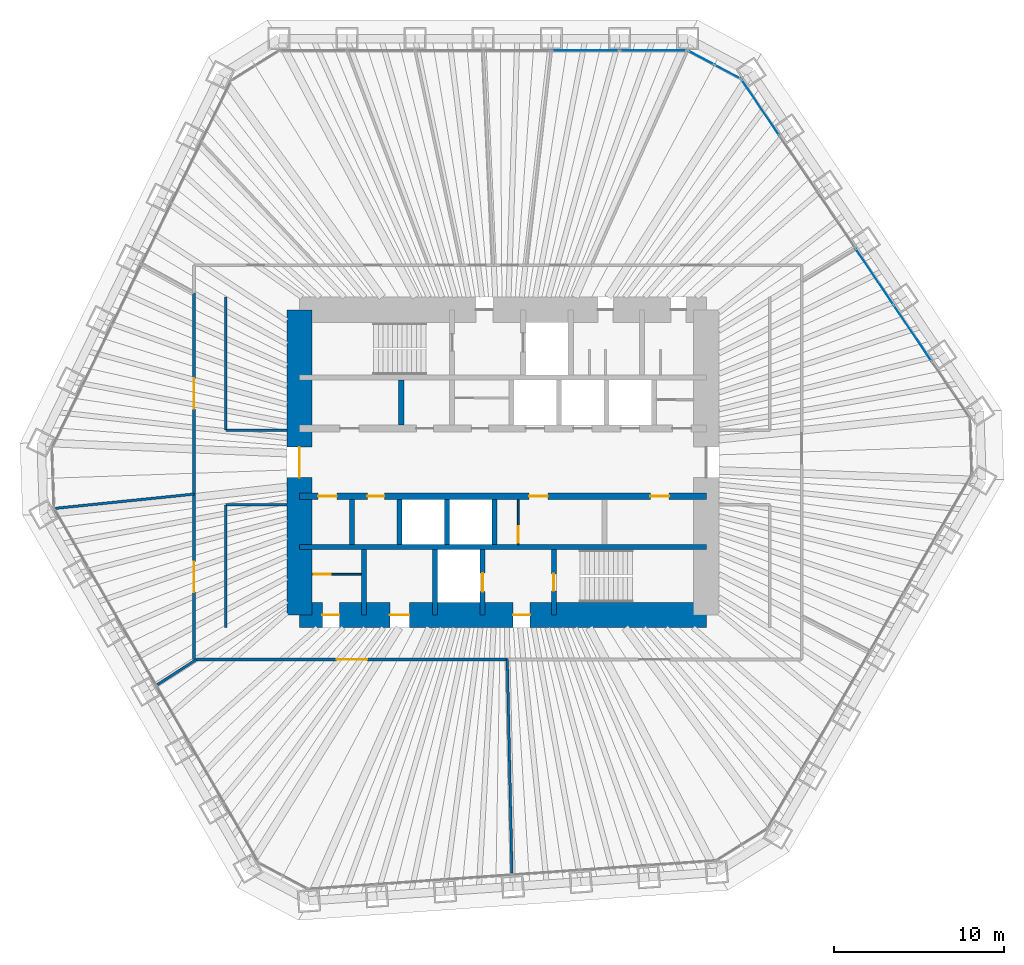
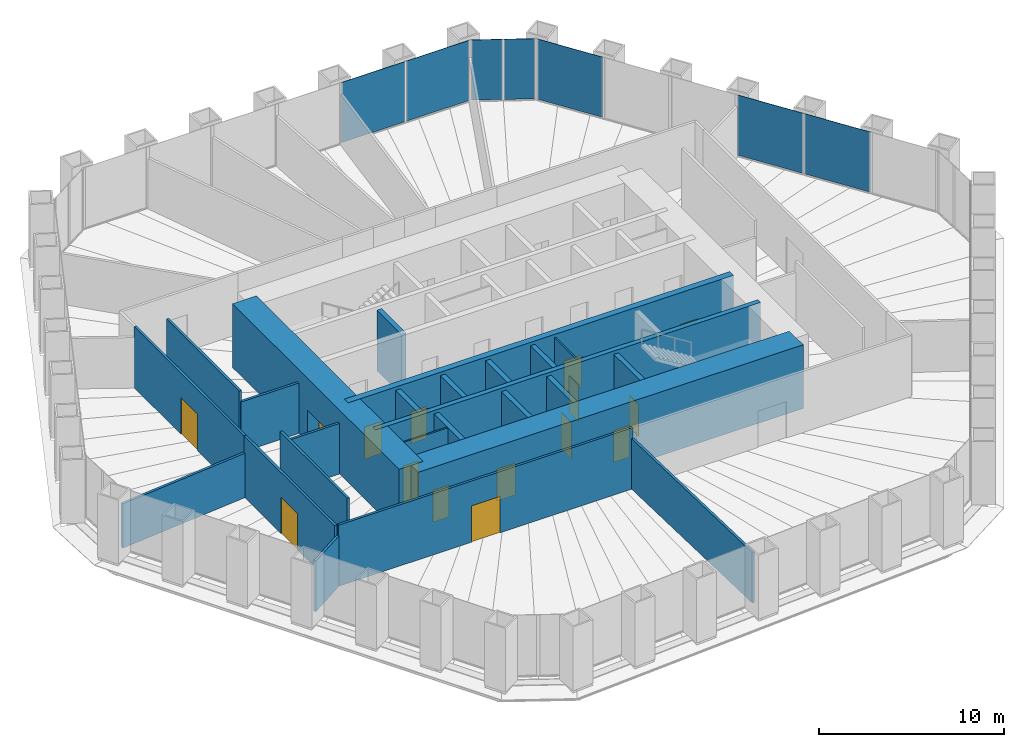
# One storey, part 10 of 13: 25 walls, 15 doors, 7 plates, 15 openings, 3 elements without a shape of their own.
"""IFC4 building model written with IfcOpenShell, lengths in metres."""

from ifc_helpers import new_model, si_unit, direction, frame, frame_2d, origin, origin_2d, place, context, subcontext, project, spatial, rectangle, extrude, material, layer, layer_set, type_object, element, fill, aggregate, save


model = new_model("IFC4")

# Units and contexts
model_context = context("Model", 3, precision=1e-05, world=origin(), true_north=direction((0.0, 1.0)))
body_context = subcontext(model_context, "Body", "Model", "MODEL_VIEW")
ifc_project = project(units=[si_unit("LENGTHUNIT", "METRE"), si_unit("AREAUNIT", "SQUARE_METRE"), si_unit("VOLUMEUNIT", "CUBIC_METRE"), si_unit("PLANEANGLEUNIT", "RADIAN"), si_unit("MASSUNIT", "GRAM", prefix="KILO")], contexts=[model_context])

# Site, building, storey
site_placement = place(None, origin())
site = spatial("IfcSite", under=ifc_project, at=site_placement, CompositionType="ELEMENT")
building_placement = place(site_placement, origin())
building = spatial("IfcBuilding", under=site, at=building_placement, Name="Qingtian Harvest Tower", CompositionType="ELEMENT")
storey_placement = place(building_placement, frame((0.0, 0.0, 140.800048828125)))
storey = spatial("IfcBuildingStorey", under=building, at=storey_placement, Name="L29", CompositionType="ELEMENT", Elevation=140.800048828125)

# Curtain wall, plates
ifc_material_1 = material(Name="Bronze-anodised aluminium curtain wall", Category="aluminium")
curtain_wall_type = type_object("IfcCurtainWallType", Name="Curtain wall CW4 office", PredefinedType="USERDEFINED", material=ifc_material_1)
curtain_wall_1_placement = place(storey_placement, origin())
curtain_wall_1 = element("IfcCurtainWall", 1, at=curtain_wall_1_placement, inside=storey, type_object=curtain_wall_type, Name="Curtain wall CW4 L29 N0-5", ObjectType="RECESSED CURTAIN WALL", PredefinedType="USERDEFINED")
ifc_material_2 = material(Name="Bronze-tinted laminated insulating glass", Category="glass")
ifc_layer_1 = layer(ifc_material_2, 0.030029296875)
ifc_layer_set_1 = layer_set([ifc_layer_1], Name="Glazed panel CWP tinted IGU")
plate_type = type_object("IfcPlateType", Name="Glazed panel CWP tinted IGU", PredefinedType="CURTAIN_PANEL", material=ifc_layer_set_1)
plate_1_placement = place(storey_placement, frame((4.864013671875, 24.300048828125, 0.06494140625), z_axis=(0.0, 0.0, 1.0), x_axis=(1.0, 0.0, 0.0)))
plate_1 = element("IfcPlate", 2, at=plate_1_placement, type_object=plate_type, Name="CW4 panel 5.1", PredefinedType="CURTAIN_PANEL", context=body_context, shape_type="SweptSolid", body=[
    extrude(rectangle(XDim=3.9541015625, YDim=0.030029296875, at=origin_2d()), origin(), (0.0, 0.0, 1.0), 3.965087890625),
])
plate_2_placement = place(storey_placement, frame((8.866943359375, 24.300048828125, 0.06494140625), z_axis=(0.0, 0.0, 1.0), x_axis=(1.0, 0.0, 0.0)))
plate_2 = element("IfcPlate", 3, at=plate_2_placement, type_object=plate_type, Name="CW4 panel 6.1", PredefinedType="CURTAIN_PANEL", context=body_context, shape_type="SweptSolid", body=[
    extrude(rectangle(XDim=3.921630859375, YDim=0.030029296875, at=origin_2d()), origin(), (0.0, 0.0, 1.0), 3.965087890625),
])
aggregate(curtain_wall_1, [plate_1, plate_2])

curtain_wall_2_placement = place(storey_placement, origin())
curtain_wall_2 = element("IfcCurtainWall", 4, at=curtain_wall_2_placement, inside=storey, type_object=curtain_wall_type, Name="Curtain wall CW4 L29 NC", ObjectType="RECESSED CURTAIN WALL", PredefinedType="USERDEFINED")
plate_3_placement = place(storey_placement, frame((11.697509765625, 23.8720703125, 0.06494140625), z_axis=(0.0, 0.0, 1.0), x_axis=(0.882947592859, -0.469471562786, 0.0)))
plate_3 = element("IfcPlate", 5, at=plate_3_placement, type_object=plate_type, Name="CW4 panel 1.1", PredefinedType="CURTAIN_PANEL", context=body_context, shape_type="SweptSolid", body=[
    extrude(rectangle(XDim=1.69287109375, YDim=0.030029296875, at=origin_2d()), origin(), (0.0, 0.0, 1.0), 3.965087890625),
])
plate_4_placement = place(storey_placement, frame((13.249755859375, 23.046875, 0.06494140625), z_axis=(0.0, 0.0, 1.0), x_axis=(0.882947592859, -0.469471562786, 0.0)))
plate_4 = element("IfcPlate", 6, at=plate_4_placement, type_object=plate_type, Name="CW4 panel 2.1", PredefinedType="CURTAIN_PANEL", context=body_context, shape_type="SweptSolid", body=[
    extrude(rectangle(XDim=1.69287109375, YDim=0.030029296875, at=origin_2d()), origin(), (0.0, 0.0, 1.0), 3.965087890625),
])
aggregate(curtain_wall_2, [plate_3, plate_4])

curtain_wall_3_placement = place(storey_placement, origin())
curtain_wall_3 = element("IfcCurtainWall", 7, at=curtain_wall_3_placement, inside=storey, type_object=curtain_wall_type, Name="Curtain wall CW4 L29 NE0-5", ObjectType="RECESSED CURTAIN WALL", PredefinedType="USERDEFINED")
plate_5_placement = place(storey_placement, frame((15.187255859375, 20.939453125, 0.06494140625), z_axis=(0.0, 0.0, 1.0), x_axis=(0.559192903471, -0.829037572555, 0.0)))
plate_5 = element("IfcPlate", 8, at=plate_5_placement, type_object=plate_type, Name="CW4 panel 1.1", PredefinedType="CURTAIN_PANEL", context=body_context, shape_type="SweptSolid", body=[
    extrude(rectangle(XDim=3.921630859375, YDim=0.030029296875, at=origin_2d()), origin(), (0.0, 0.0, 1.0), 3.965087890625),
])
plate_6_placement = place(storey_placement, frame((21.92041015625, 10.95703125, 0.06494140625), z_axis=(0.0, 0.0, 1.0), x_axis=(0.559192903471, -0.829037572555, 0.0)))
plate_6 = element("IfcPlate", 9, at=plate_6_placement, type_object=plate_type, Name="CW4 panel 4.1", PredefinedType="CURTAIN_PANEL", context=body_context, shape_type="SweptSolid", body=[
    extrude(rectangle(XDim=3.9541015625, YDim=0.030029296875, at=origin_2d()), origin(), (0.0, 0.0, 1.0), 3.965087890625),
])
plate_7_placement = place(storey_placement, frame((24.16796875, 7.625, 0.06494140625), z_axis=(0.0, 0.0, 1.0), x_axis=(0.559192903471, -0.829037572555, 0.0)))
plate_7 = element("IfcPlate", 10, at=plate_7_placement, type_object=plate_type, Name="CW4 panel 5.1", PredefinedType="CURTAIN_PANEL", context=body_context, shape_type="SweptSolid", body=[
    extrude(rectangle(XDim=3.9541015625, YDim=0.030029296875, at=origin_2d()), origin(), (0.0, 0.0, 1.0), 3.965087890625),
])
aggregate(curtain_wall_3, [plate_5, plate_6, plate_7])

# Wall
ifc_material_3 = material(Name="Concrete fc' 70 MPa", Category="concrete")
ifc_layer_2 = layer(ifc_material_3, 0.300048828125)
ifc_layer_set_2 = layer_set([ifc_layer_2], Name="Core inner wall RC5 300")
wall_type_1 = type_object("IfcWallType", Name="Core inner wall RC5 300", PredefinedType="SHEAR", material=ifc_layer_set_2)
wall_1_placement = place(storey_placement, frame((-12.0, -5.0, 0.0), z_axis=(0.0, 0.0, 1.0), x_axis=(1.0, 0.0, 0.0)))
element("IfcWall", 11, at=wall_1_placement, inside=storey, type_object=wall_type_1, Name="Core wall IS5 L29", PredefinedType="SHEAR", context=body_context, shape_type="SweptSolid", body=[
    extrude(rectangle(XDim=24.0, YDim=0.300048828125, at=frame_2d((12.0, 0.0))), origin(), (0.0, 0.0, 1.0), 4.199951171875),
])

# Wall, openings, doors
ifc_material_4 = material(Name="Concrete fc' 70 MPa", Category="concrete")
ifc_layer_3 = layer(ifc_material_4, 0.39990234375)
ifc_layer_set_3 = layer_set([ifc_layer_3], Name="Core inner web RC6 400")
wall_type_2 = type_object("IfcWallType", Name="Core inner web RC6 400", PredefinedType="SHEAR", material=ifc_layer_set_3)
wall_2_placement = place(storey_placement, frame((-12.0, -2.0, 0.0), z_axis=(0.0, 0.0, 1.0), x_axis=(1.0, 0.0, 0.0)))
wall_2 = element("IfcWall", 12, at=wall_2_placement, inside=storey, type_object=wall_type_2, Name="Core wall IS2 L29", PredefinedType="SHEAR", context=body_context, shape_type="SweptSolid", body=[
    extrude(rectangle(XDim=24.0, YDim=0.39990234375, at=frame_2d((12.0, 0.0))), origin(), (0.0, 0.0, 1.0), 4.199951171875),
])
opening_1_placement = place(wall_2_placement, frame((1.10009765625, 0.0, 0.0)))
opening_1 = element("IfcOpeningElement", 13, at=opening_1_placement, cuts=wall_2, Name="Opening FD4", PredefinedType="OPENING", context=body_context, shape_type="SweptSolid", body=[
    extrude(rectangle(XDim=1.10009765625, YDim=2.10009765625, at=frame_2d((0.550048828125, 1.050048828125))), frame((0.0, 0.2099609375, 0.0), z_axis=(0.0, -1.0, 0.0), x_axis=(1.0, 0.0, 0.0)), (0.0, 0.0, 1.0), 0.419921875),
])
opening_2_placement = place(wall_2_placement, frame((13.550048828125, 0.0, 0.0)))
opening_2 = element("IfcOpeningElement", 14, at=opening_2_placement, cuts=wall_2, Name="Opening FD4", PredefinedType="OPENING", context=body_context, shape_type="SweptSolid", body=[
    extrude(rectangle(XDim=1.10009765625, YDim=2.10009765625, at=frame_2d((0.550048828125, 1.050048828125))), frame((0.0, 0.2099609375, 0.0), z_axis=(0.0, -1.0, 0.0), x_axis=(1.0, 0.0, 0.0)), (0.0, 0.0, 1.0), 0.419921875),
])
opening_3_placement = place(wall_2_placement, frame((20.699951171875, 0.0, 0.0)))
opening_3 = element("IfcOpeningElement", 15, at=opening_3_placement, cuts=wall_2, Name="Opening FD4", PredefinedType="OPENING", context=body_context, shape_type="SweptSolid", body=[
    extrude(rectangle(XDim=1.10009765625, YDim=2.10009765625, at=frame_2d((0.550048828125, 1.050048828125))), frame((0.0, 0.2099609375, 0.0), z_axis=(0.0, -1.0, 0.0), x_axis=(1.0, 0.0, 0.0)), (0.0, 0.0, 1.0), 0.419921875),
])
opening_4_placement = place(wall_2_placement, frame((4.0, 0.0, 0.0)))
opening_4 = element("IfcOpeningElement", 16, at=opening_4_placement, cuts=wall_2, Name="Opening FD1", PredefinedType="OPENING", context=body_context, shape_type="SweptSolid", body=[
    extrude(rectangle(XDim=1.0, YDim=2.10009765625, at=frame_2d((0.5, 1.050048828125))), frame((0.0, 0.2099609375, 0.0), z_axis=(0.0, -1.0, 0.0), x_axis=(1.0, 0.0, 0.0)), (0.0, 0.0, 1.0), 0.419921875),
])
ifc_material_5 = material(Name="Steel-faced door leaf", Category="steel")
door_type_1 = type_object("IfcDoorType", Name="Fire door FD1 single 1 HR", OperationType="SINGLE_SWING_LEFT", PredefinedType="DOOR", material=ifc_material_5)
door_1_placement = place(opening_4_placement, origin())
door_1 = element("IfcDoor", 17, at=door_1_placement, inside=storey, type_object=door_type_1, Name="Store door L29", OperationType="SINGLE_SWING_LEFT", OverallHeight=2.10009765625, OverallWidth=1.0, PredefinedType="DOOR", context=body_context, shape_type="SweptSolid", body=[
    extrude(rectangle(XDim=1.0, YDim=2.10009765625, at=frame_2d((0.5, 1.050048828125))), frame((0.0, 0.02490234375, 0.0), z_axis=(0.0, -1.0, 0.0), x_axis=(1.0, 0.0, 0.0)), (0.0, 0.0, 1.0), 0.050048828125),
])
fill(opening_4, door_1)
ifc_material_6 = material(Name="Steel-faced door leaf", Category="steel")
door_type_2 = type_object("IfcDoorType", Name="Fire door FD4 single 2 HR", OperationType="SINGLE_SWING_LEFT", PredefinedType="DOOR", material=ifc_material_6)
door_2_placement = place(opening_1_placement, origin())
door_2 = element("IfcDoor", 18, at=door_2_placement, inside=storey, type_object=door_type_2, Name="RB door L29", OperationType="SINGLE_SWING_RIGHT", OverallHeight=2.10009765625, OverallWidth=1.10009765625, PredefinedType="DOOR", context=body_context, shape_type="SweptSolid", body=[
    extrude(rectangle(XDim=1.10009765625, YDim=2.10009765625, at=frame_2d((0.550048828125, 1.050048828125))), frame((0.0, 0.02490234375, 0.0), z_axis=(0.0, -1.0, 0.0), x_axis=(1.0, 0.0, 0.0)), (0.0, 0.0, 1.0), 0.050048828125),
])
fill(opening_1, door_2)
door_3_placement = place(opening_2_placement, origin())
door_3 = element("IfcDoor", 19, at=door_3_placement, inside=storey, type_object=door_type_2, Name="ELEC door L29", OperationType="SINGLE_SWING_LEFT", OverallHeight=2.10009765625, OverallWidth=1.10009765625, PredefinedType="DOOR", context=body_context, shape_type="SweptSolid", body=[
    extrude(rectangle(XDim=1.10009765625, YDim=2.10009765625, at=frame_2d((0.550048828125, 1.050048828125))), frame((0.0, 0.02490234375, 0.0), z_axis=(0.0, -1.0, 0.0), x_axis=(1.0, 0.0, 0.0)), (0.0, 0.0, 1.0), 0.050048828125),
])
fill(opening_2, door_3)
door_4_placement = place(opening_3_placement, origin())
door_4 = element("IfcDoor", 20, at=door_4_placement, inside=storey, type_object=door_type_2, Name="DUCT door L29", OperationType="SINGLE_SWING_RIGHT", OverallHeight=2.10009765625, OverallWidth=1.10009765625, PredefinedType="DOOR", context=body_context, shape_type="SweptSolid", body=[
    extrude(rectangle(XDim=1.10009765625, YDim=2.10009765625, at=frame_2d((0.550048828125, 1.050048828125))), frame((0.0, 0.02490234375, 0.0), z_axis=(0.0, -1.0, 0.0), x_axis=(1.0, 0.0, 0.0)), (0.0, 0.0, 1.0), 0.050048828125),
])
fill(opening_3, door_4)

# Walls
ifc_material_7 = material(Name="Precast concrete shaft panel", Category="concrete")
ifc_layer_4 = layer(ifc_material_7, 0.300048828125)
ifc_layer_set_4 = layer_set([ifc_layer_4], Name="Core shaft partition SW1 300")
wall_type_3 = type_object("IfcWallType", Name="Core shaft partition SW1 300", PredefinedType="PARTITIONING", material=ifc_layer_set_4)
for number, where, z_axis, x_axis, name in (
    (21, (-6.0, 2.199951171875, 0.0), (0.0, 0.0, 1.0), (0.0, 1.0, 0.0), "Core shaft partition XA1 L29"),
    (22, (-8.89990234375, -4.85009765625, 0.0), (0.0, 0.0, 1.0), (0.0, 1.0, 0.0), "Core shaft partition XB1 L29"),
    (23, (-6.10009765625, -4.85009765625, 0.0), (0.0, 0.0, 1.0), (0.0, 1.0, 0.0), "Core shaft partition XB2 L29"),
    (24, (-3.300048828125, -4.85009765625, 0.0), (0.0, 0.0, 1.0), (0.0, 1.0, 0.0), "Core shaft partition XB3 L29"),
    (25, (-0.5, -4.85009765625, 0.0), (0.0, 0.0, 1.0), (0.0, 1.0, 0.0), "Core shaft partition XB4 L29"),
):
    element("IfcWall", number, at=place(storey_placement, frame(where, z_axis=z_axis, x_axis=x_axis)), inside=storey, type_object=wall_type_3, Name=name, PredefinedType="PARTITIONING", context=body_context, shape_type="SweptSolid", body=[
        extrude(rectangle(XDim=2.650146484375, YDim=0.300048828125, at=frame_2d((1.3251953125, 0.0))), origin(), (0.0, 0.0, 1.0), 3.97998046875),
    ])
for number, where, z_axis, x_axis, name in (
    (26, (-8.199951171875, -9.0, 0.0), (0.0, 0.0, 1.0), (0.0, 1.0, 0.0), "Core shaft partition XS1 L29"),
    (27, (-4.0, -9.0, 0.0), (0.0, 0.0, 1.0), (0.0, 1.0, 0.0), "Core shaft partition XS2 L29"),
):
    element("IfcWall", number, at=place(storey_placement, frame(where, z_axis=z_axis, x_axis=x_axis)), inside=storey, type_object=wall_type_3, Name=name, PredefinedType="PARTITIONING", context=body_context, shape_type="SweptSolid", body=[
        extrude(rectangle(XDim=3.85009765625, YDim=0.300048828125, at=frame_2d((1.925048828125, 0.0))), origin(), (0.0, 0.0, 1.0), 3.97998046875),
    ])

# Wall, opening, door
wall_3_placement = place(storey_placement, frame((-1.199951171875, -9.0, 0.0), z_axis=(0.0, 0.0, 1.0), x_axis=(0.0, 1.0, 0.0)))
wall_3 = element("IfcWall", 28, at=wall_3_placement, inside=storey, type_object=wall_type_3, Name="Core shaft partition XS3 L29", PredefinedType="PARTITIONING", context=body_context, shape_type="SweptSolid", body=[
    extrude(rectangle(XDim=3.85009765625, YDim=0.300048828125, at=frame_2d((1.925048828125, 0.0))), origin(), (0.0, 0.0, 1.0), 3.97998046875),
])
opening_5_placement = place(wall_3_placement, frame((1.375, 0.0, 0.0)))
opening_5 = element("IfcOpeningElement", 29, at=opening_5_placement, cuts=wall_3, Name="Opening LD1", PredefinedType="OPENING", context=body_context, shape_type="SweptSolid", body=[
    extrude(rectangle(XDim=1.10009765625, YDim=2.39990234375, at=frame_2d((0.550048828125, 1.199951171875))), frame((0.0, 0.159912109375, 0.0), z_axis=(0.0, -1.0, 0.0), x_axis=(1.0, 0.0, 0.0)), (0.0, 0.0, 1.0), 0.320068359375),
])
ifc_material_8 = material(Name="Stainless steel lift landing door", Category="steel")
door_type_3 = type_object("IfcDoorType", Name="Lift landing door LD1 1 HR", OperationType="DOUBLE_DOOR_SLIDING", PredefinedType="DOOR", material=ifc_material_8)
door_5_placement = place(opening_5_placement, origin())
door_5 = element("IfcDoor", 30, at=door_5_placement, inside=storey, type_object=door_type_3, Name="FL2 landing door L29", OperationType="DOUBLE_DOOR_SLIDING", OverallHeight=2.39990234375, OverallWidth=1.10009765625, PredefinedType="DOOR", context=body_context, shape_type="SweptSolid", body=[
    extrude(rectangle(XDim=1.10009765625, YDim=2.39990234375, at=frame_2d((0.550048828125, 1.199951171875))), frame((0.0, 0.02490234375, 0.0), z_axis=(0.0, -1.0, 0.0), x_axis=(1.0, 0.0, 0.0)), (0.0, 0.0, 1.0), 0.050048828125),
])
fill(opening_5, door_5)

wall_4_placement = place(storey_placement, frame((3.0, -9.0, 0.0), z_axis=(0.0, 0.0, 1.0), x_axis=(0.0, 1.0, 0.0)))
wall_4 = element("IfcWall", 31, at=wall_4_placement, inside=storey, type_object=wall_type_3, Name="Core shaft partition XS4 L29", PredefinedType="PARTITIONING", context=body_context, shape_type="SweptSolid", body=[
    extrude(rectangle(XDim=3.85009765625, YDim=0.300048828125, at=frame_2d((1.925048828125, 0.0))), origin(), (0.0, 0.0, 1.0), 3.97998046875),
])
opening_6_placement = place(wall_4_placement, frame((1.425048828125, 0.0, 0.0)))
opening_6 = element("IfcOpeningElement", 32, at=opening_6_placement, cuts=wall_4, Name="Opening FD1", PredefinedType="OPENING", context=body_context, shape_type="SweptSolid", body=[
    extrude(rectangle(XDim=1.0, YDim=2.10009765625, at=frame_2d((0.5, 1.050048828125))), frame((0.0, 0.159912109375, 0.0), z_axis=(0.0, -1.0, 0.0), x_axis=(1.0, 0.0, 0.0)), (0.0, 0.0, 1.0), 0.320068359375),
])
door_6_placement = place(opening_6_placement, origin())
door_6 = element("IfcDoor", 33, at=door_6_placement, inside=storey, type_object=door_type_1, Name="S2 door L29", OperationType="SINGLE_SWING_LEFT", OverallHeight=2.10009765625, OverallWidth=1.0, PredefinedType="DOOR", context=body_context, shape_type="SweptSolid", body=[
    extrude(rectangle(XDim=1.0, YDim=2.10009765625, at=frame_2d((0.5, 1.050048828125))), frame((0.0, 0.02490234375, 0.0), z_axis=(0.0, -1.0, 0.0), x_axis=(1.0, 0.0, 0.0)), (0.0, 0.0, 1.0), 0.050048828125),
])
fill(opening_6, door_6)

# Wall, openings, doors
ifc_material_9 = material(Name="Concrete fc' 70 MPa", Category="concrete")
ifc_layer_5 = layer(ifc_material_9, 1.5)
ifc_layer_set_5 = layer_set([ifc_layer_5], Name="Core wall RC1 1500")
wall_type_4 = type_object("IfcWallType", Name="Core wall RC1 1500", PredefinedType="SHEAR", material=ifc_layer_set_5)
wall_5_placement = place(storey_placement, frame((-12.0, -9.0, 0.0), z_axis=(0.0, 0.0, 1.0), x_axis=(1.0, 0.0, 0.0)))
wall_5 = element("IfcWall", 34, at=wall_5_placement, inside=storey, type_object=wall_type_4, Name="Core wall CS L29", PredefinedType="SHEAR", context=body_context, shape_type="SweptSolid", body=[
    extrude(rectangle(XDim=24.0, YDim=1.5, at=frame_2d((12.0, 0.0))), origin(), (0.0, 0.0, 1.0), 4.199951171875),
])
opening_7_placement = place(wall_5_placement, frame((1.35009765625, 0.0, 0.0)))
opening_7 = element("IfcOpeningElement", 35, at=opening_7_placement, cuts=wall_5, Name="Opening FD1", PredefinedType="OPENING", context=body_context, shape_type="SweptSolid", body=[
    extrude(rectangle(XDim=1.0, YDim=2.10009765625, at=frame_2d((0.5, 1.050048828125))), frame((0.0, 0.760009765625, 0.0), z_axis=(0.0, -1.0, 0.0), x_axis=(1.0, 0.0, 0.0)), (0.0, 0.0, 1.0), 1.52001953125),
])
opening_8_placement = place(wall_5_placement, frame((5.324951171875, 0.0, 0.0)))
opening_8 = element("IfcOpeningElement", 36, at=opening_8_placement, cuts=wall_5, Name="Opening AD1", PredefinedType="OPENING", context=body_context, shape_type="SweptSolid", body=[
    extrude(rectangle(XDim=1.14990234375, YDim=2.10009765625, at=frame_2d((0.574951171875, 1.050048828125))), frame((0.0, 0.760009765625, 0.0), z_axis=(0.0, -1.0, 0.0), x_axis=(1.0, 0.0, 0.0)), (0.0, 0.0, 1.0), 1.52001953125),
])
opening_9_placement = place(wall_5_placement, frame((12.60009765625, 0.0, 0.0)))
opening_9 = element("IfcOpeningElement", 37, at=opening_9_placement, cuts=wall_5, Name="Opening FD1", PredefinedType="OPENING", context=body_context, shape_type="SweptSolid", body=[
    extrude(rectangle(XDim=1.0, YDim=2.10009765625, at=frame_2d((0.5, 1.050048828125))), frame((0.0, 0.760009765625, 0.0), z_axis=(0.0, -1.0, 0.0), x_axis=(1.0, 0.0, 0.0)), (0.0, 0.0, 1.0), 1.52001953125),
])
ifc_material_10 = material(Name="Laminated timber door leaf", Category="wood")
door_type_4 = type_object("IfcDoorType", Name="Accessible WC door AD1 single", OperationType="SINGLE_SWING_LEFT", PredefinedType="DOOR", material=ifc_material_10)
door_7_placement = place(opening_8_placement, origin())
door_7 = element("IfcDoor", 38, at=door_7_placement, inside=storey, type_object=door_type_4, Name="AWC door L29", OperationType="SINGLE_SWING_RIGHT", OverallHeight=2.10009765625, OverallWidth=1.14990234375, PredefinedType="DOOR", context=body_context, shape_type="SweptSolid", body=[
    extrude(rectangle(XDim=1.14990234375, YDim=2.10009765625, at=frame_2d((0.574951171875, 1.050048828125))), frame((0.0, 0.02490234375, 0.0), z_axis=(0.0, -1.0, 0.0), x_axis=(1.0, 0.0, 0.0)), (0.0, 0.0, 1.0), 0.050048828125),
])
fill(opening_8, door_7)
door_8_placement = place(opening_7_placement, origin())
door_8 = element("IfcDoor", 39, at=door_8_placement, inside=storey, type_object=door_type_1, Name="CLN door L29", OperationType="SINGLE_SWING_LEFT", OverallHeight=2.10009765625, OverallWidth=1.0, PredefinedType="DOOR", context=body_context, shape_type="SweptSolid", body=[
    extrude(rectangle(XDim=1.0, YDim=2.10009765625, at=frame_2d((0.5, 1.050048828125))), frame((0.0, 0.02490234375, 0.0), z_axis=(0.0, -1.0, 0.0), x_axis=(1.0, 0.0, 0.0)), (0.0, 0.0, 1.0), 0.050048828125),
])
fill(opening_7, door_8)
door_9_placement = place(opening_9_placement, origin())
door_9 = element("IfcDoor", 40, at=door_9_placement, inside=storey, type_object=door_type_1, Name="V2 door L29", OperationType="SINGLE_SWING_LEFT", OverallHeight=2.10009765625, OverallWidth=1.0, PredefinedType="DOOR", context=body_context, shape_type="SweptSolid", body=[
    extrude(rectangle(XDim=1.0, YDim=2.10009765625, at=frame_2d((0.5, 1.050048828125))), frame((0.0, 0.02490234375, 0.0), z_axis=(0.0, -1.0, 0.0), x_axis=(1.0, 0.0, 0.0)), (0.0, 0.0, 1.0), 0.050048828125),
])
fill(opening_9, door_9)

# Wall, opening, door
wall_6_placement = place(storey_placement, frame((-12.0, -9.0, 0.0), z_axis=(0.0, 0.0, 1.0), x_axis=(0.0, 1.0, 0.0)))
wall_6 = element("IfcWall", 41, at=wall_6_placement, inside=storey, type_object=wall_type_4, Name="Core wall CW L29", PredefinedType="SHEAR", context=body_context, shape_type="SweptSolid", body=[
    extrude(rectangle(XDim=18.0, YDim=1.5, at=frame_2d((9.0, 0.0))), origin(), (0.0, 0.0, 1.0), 4.199951171875),
])
opening_10_placement = place(wall_6_placement, frame((8.10009765625, 0.0, 0.0)))
opening_10 = element("IfcOpeningElement", 42, at=opening_10_placement, cuts=wall_6, Name="Opening FD2", PredefinedType="OPENING", context=body_context, shape_type="SweptSolid", body=[
    extrude(rectangle(XDim=1.800048828125, YDim=2.10009765625, at=frame_2d((0.89990234375, 1.050048828125))), frame((0.0, 0.760009765625, 0.0), z_axis=(0.0, -1.0, 0.0), x_axis=(1.0, 0.0, 0.0)), (0.0, 0.0, 1.0), 1.52001953125),
])
ifc_material_11 = material(Name="Steel-faced door leaf", Category="steel")
door_type_5 = type_object("IfcDoorType", Name="Fire door FD2 double 1 HR", OperationType="DOUBLE_DOOR_DOUBLE_SWING", PredefinedType="DOOR", material=ifc_material_11)
door_10_placement = place(opening_10_placement, origin())
door_10 = element("IfcDoor", 43, at=door_10_placement, inside=storey, type_object=door_type_5, Name="LOBBY-W door L29", OperationType="DOUBLE_DOOR_DOUBLE_SWING", OverallHeight=2.10009765625, OverallWidth=1.800048828125, PredefinedType="DOOR", context=body_context, shape_type="SweptSolid", body=[
    extrude(rectangle(XDim=1.800048828125, YDim=2.10009765625, at=frame_2d((0.89990234375, 1.050048828125))), frame((0.0, 0.02490234375, 0.0), z_axis=(0.0, -1.0, 0.0), x_axis=(1.0, 0.0, 0.0)), (0.0, 0.0, 1.0), 0.050048828125),
])
fill(opening_10, door_10)

# Wall
ifc_material_12 = material(Name="Gypsum board on steel studs", Category="steel")
ifc_layer_6 = layer(ifc_material_12, 0.14990234375)
ifc_layer_set_6 = layer_set([ifc_layer_6], Name="Partition PT1 150")
wall_type_5 = type_object("IfcWallType", Name="Partition PT1 150", PredefinedType="PARTITIONING", material=ifc_layer_set_6)
wall_7_placement = place(storey_placement, frame((0.53125, -24.22216796875, 0.0), z_axis=(0.0, 0.0, 1.0), x_axis=(-0.021933557026, 0.999759430601, 0.0)))
element("IfcWall", 44, at=wall_7_placement, inside=storey, type_object=wall_type_5, Name="Office suite wall L29", PredefinedType="PARTITIONING", context=body_context, shape_type="SweptSolid", body=[
    extrude(rectangle(XDim=12.60009765625, YDim=0.14990234375, at=frame_2d((6.300048828125, 0.0))), origin(), (0.0, 0.0, 1.0), 3.329833984375),
])

# Wall, opening, door
wall_8_placement = place(storey_placement, frame((0.2548828125, -11.625, 0.0), z_axis=(0.0, 0.0, 1.0), x_axis=(-1.0, 0.0, 0.0)))
wall_8 = element("IfcWall", 45, at=wall_8_placement, inside=storey, type_object=wall_type_5, Name="Office suite wall L29", PredefinedType="PARTITIONING", context=body_context, shape_type="SweptSolid", body=[
    extrude(rectangle(XDim=18.332275390625, YDim=0.14990234375, at=frame_2d((9.166015625, 0.0))), origin(), (0.0, 0.0, 1.0), 4.030029296875),
])
opening_11_placement = place(wall_8_placement, frame((8.26611328125, 0.0, 0.0)))
opening_11 = element("IfcOpeningElement", 46, at=opening_11_placement, cuts=wall_8, Name="Opening D3", PredefinedType="OPENING", context=body_context, shape_type="SweptSolid", body=[
    extrude(rectangle(XDim=1.800048828125, YDim=2.39990234375, at=frame_2d((0.89990234375, 1.199951171875))), frame((0.0, 0.0849609375, 0.0), z_axis=(0.0, -1.0, 0.0), x_axis=(1.0, 0.0, 0.0)), (0.0, 0.0, 1.0), 0.169921875),
])
ifc_material_13 = material(Name="Laminated timber door leaf", Category="wood")
door_type_6 = type_object("IfcDoorType", Name="Room door D3 double", OperationType="DOUBLE_DOOR_DOUBLE_SWING", PredefinedType="DOOR", material=ifc_material_13)
door_11_placement = place(opening_11_placement, origin())
door_11 = element("IfcDoor", 47, at=door_11_placement, inside=storey, type_object=door_type_6, Name="Office suite door L29", OperationType="DOUBLE_DOOR_DOUBLE_SWING", OverallHeight=2.39990234375, OverallWidth=1.800048828125, PredefinedType="DOOR", context=body_context, shape_type="SweptSolid", body=[
    extrude(rectangle(XDim=1.800048828125, YDim=2.39990234375, at=frame_2d((0.89990234375, 1.199951171875))), frame((0.0, 0.02490234375, 0.0), z_axis=(0.0, -1.0, 0.0), x_axis=(1.0, 0.0, 0.0)), (0.0, 0.0, 1.0), 0.050048828125),
])
fill(opening_11, door_11)

# Wall
wall_9_placement = place(storey_placement, frame((-20.378173828125, -13.1044921875, 0.0), z_axis=(0.0, 0.0, 1.0), x_axis=(0.841108871346, 0.540865848934, 0.0)))
element("IfcWall", 48, at=wall_9_placement, inside=storey, type_object=wall_type_5, Name="Office suite wall L29", PredefinedType="PARTITIONING", context=body_context, shape_type="SweptSolid", body=[
    extrude(rectangle(XDim=2.7353515625, YDim=0.14990234375, at=frame_2d((1.36767578125, 0.0))), origin(), (0.0, 0.0, 1.0), 3.329833984375),
])

# Wall, opening, door
wall_10_placement = place(storey_placement, frame((-18.22509765625, -11.625, 0.0), z_axis=(0.0, 0.0, 1.0), x_axis=(0.0, 1.0, 0.0)))
wall_10 = element("IfcWall", 49, at=wall_10_placement, inside=storey, type_object=wall_type_5, Name="Office suite wall L29", PredefinedType="PARTITIONING", context=body_context, shape_type="SweptSolid", body=[
    extrude(rectangle(XDim=9.756103515625, YDim=0.14990234375, at=frame_2d((4.8779296875, 0.0))), origin(), (0.0, 0.0, 1.0), 4.030029296875),
])
opening_12_placement = place(wall_10_placement, frame((3.97802734375, 0.0, 0.0)))
opening_12 = element("IfcOpeningElement", 50, at=opening_12_placement, cuts=wall_10, Name="Opening D3", PredefinedType="OPENING", context=body_context, shape_type="SweptSolid", body=[
    extrude(rectangle(XDim=1.800048828125, YDim=2.39990234375, at=frame_2d((0.89990234375, 1.199951171875))), frame((0.0, 0.0849609375, 0.0), z_axis=(0.0, -1.0, 0.0), x_axis=(1.0, 0.0, 0.0)), (0.0, 0.0, 1.0), 0.169921875),
])
door_12_placement = place(opening_12_placement, origin())
door_12 = element("IfcDoor", 51, at=door_12_placement, inside=storey, type_object=door_type_6, Name="Office suite door L29", OperationType="DOUBLE_DOOR_DOUBLE_SWING", OverallHeight=2.39990234375, OverallWidth=1.800048828125, PredefinedType="DOOR", context=body_context, shape_type="SweptSolid", body=[
    extrude(rectangle(XDim=1.800048828125, YDim=2.39990234375, at=frame_2d((0.89990234375, 1.199951171875))), frame((0.0, 0.02490234375, 0.0), z_axis=(0.0, -1.0, 0.0), x_axis=(1.0, 0.0, 0.0)), (0.0, 0.0, 1.0), 0.050048828125),
])
fill(opening_12, door_12)

# Wall
wall_11_placement = place(storey_placement, frame((-26.391357421875, -2.706298828125, 0.0), z_axis=(0.0, 0.0, 1.0), x_axis=(0.994783450774, 0.102009245004, 0.0)))
element("IfcWall", 52, at=wall_11_placement, inside=storey, type_object=wall_type_5, Name="Office suite wall L29", PredefinedType="PARTITIONING", context=body_context, shape_type="SweptSolid", body=[
    extrude(rectangle(XDim=8.208984375, YDim=0.14990234375, at=frame_2d((4.1044921875, 0.0))), origin(), (0.0, 0.0, 1.0), 2.929931640625),
])

# Wall, opening, door
wall_12_placement = place(storey_placement, frame((-18.22509765625, -1.868896484375, 0.0), z_axis=(0.0, 0.0, 1.0), x_axis=(0.0, 1.0, 0.0)))
wall_12 = element("IfcWall", 53, at=wall_12_placement, inside=storey, type_object=wall_type_5, Name="Office suite wall L29", PredefinedType="PARTITIONING", context=body_context, shape_type="SweptSolid", body=[
    extrude(rectangle(XDim=11.86474609375, YDim=0.14990234375, at=frame_2d((5.932373046875, 0.0))), origin(), (0.0, 0.0, 1.0), 4.030029296875),
])
opening_13_placement = place(wall_12_placement, frame((5.032470703125, 0.0, 0.0)))
opening_13 = element("IfcOpeningElement", 54, at=opening_13_placement, cuts=wall_12, Name="Opening D3", PredefinedType="OPENING", context=body_context, shape_type="SweptSolid", body=[
    extrude(rectangle(XDim=1.800048828125, YDim=2.39990234375, at=frame_2d((0.89990234375, 1.199951171875))), frame((0.0, 0.0849609375, 0.0), z_axis=(0.0, -1.0, 0.0), x_axis=(1.0, 0.0, 0.0)), (0.0, 0.0, 1.0), 0.169921875),
])
door_13_placement = place(opening_13_placement, origin())
door_13 = element("IfcDoor", 55, at=door_13_placement, inside=storey, type_object=door_type_6, Name="Office suite door L29", OperationType="DOUBLE_DOOR_DOUBLE_SWING", OverallHeight=2.39990234375, OverallWidth=1.800048828125, PredefinedType="DOOR", context=body_context, shape_type="SweptSolid", body=[
    extrude(rectangle(XDim=1.800048828125, YDim=2.39990234375, at=frame_2d((0.89990234375, 1.199951171875))), frame((0.0, 0.02490234375, 0.0), z_axis=(0.0, -1.0, 0.0), x_axis=(1.0, 0.0, 0.0)), (0.0, 0.0, 1.0), 0.050048828125),
])
fill(opening_13, door_13)

# Walls
wall_13_placement = place(storey_placement, frame((-16.35009765625, 1.89990234375, 0.0), z_axis=(0.0, 0.0, 1.0), x_axis=(0.0, 1.0, 0.0)))
element("IfcWall", 56, at=wall_13_placement, inside=storey, type_object=wall_type_5, Name="Reading area wall L29", PredefinedType="PARTITIONING", context=body_context, shape_type="SweptSolid", body=[
    extrude(rectangle(XDim=7.85009765625, YDim=0.14990234375, at=frame_2d((3.925048828125, 0.0))), origin(), (0.0, 0.0, 1.0), 4.030029296875),
])
wall_14_placement = place(storey_placement, frame((-12.75, 1.89990234375, 0.0), z_axis=(0.0, 0.0, 1.0), x_axis=(-1.0, 0.0, 0.0)))
element("IfcWall", 57, at=wall_14_placement, inside=storey, type_object=wall_type_5, Name="Reading area wall L29", PredefinedType="PARTITIONING", context=body_context, shape_type="SweptSolid", body=[
    extrude(rectangle(XDim=3.60009765625, YDim=0.14990234375, at=frame_2d((1.800048828125, 0.0))), origin(), (0.0, 0.0, 1.0), 3.329833984375),
])
wall_15_placement = place(storey_placement, frame((-16.35009765625, -9.75, 0.0), z_axis=(0.0, 0.0, 1.0), x_axis=(0.0, 1.0, 0.0)))
element("IfcWall", 58, at=wall_15_placement, inside=storey, type_object=wall_type_5, Name="Coffee point wall L29", PredefinedType="PARTITIONING", context=body_context, shape_type="SweptSolid", body=[
    extrude(rectangle(XDim=7.25, YDim=0.14990234375, at=frame_2d((3.625, 0.0))), origin(), (0.0, 0.0, 1.0), 4.030029296875),
])
wall_16_placement = place(storey_placement, frame((-12.75, -2.5, 0.0), z_axis=(0.0, 0.0, 1.0), x_axis=(-1.0, 0.0, 0.0)))
element("IfcWall", 59, at=wall_16_placement, inside=storey, type_object=wall_type_5, Name="Coffee point wall L29", PredefinedType="PARTITIONING", context=body_context, shape_type="SweptSolid", body=[
    extrude(rectangle(XDim=3.60009765625, YDim=0.14990234375, at=frame_2d((1.800048828125, 0.0))), origin(), (0.0, 0.0, 1.0), 3.329833984375),
])

# Wall, opening, door
ifc_material_14 = material(Name="Concrete block partition", Category="concrete")
ifc_layer_7 = layer(ifc_material_14, 0.10009765625)
ifc_layer_set_7 = layer_set([ifc_layer_7], Name="Store partition PT3 100")
wall_type_6 = type_object("IfcWallType", Name="Store partition PT3 100", PredefinedType="PARTITIONING", material=ifc_layer_set_7)
wall_17_placement = place(storey_placement, frame((0.89990234375, -4.85009765625, 0.0), z_axis=(0.0, 0.0, 1.0), x_axis=(0.0, 1.0, 0.0)))
wall_17 = element("IfcWall", 60, at=wall_17_placement, inside=storey, type_object=wall_type_6, Name="Comms room wall L29", PredefinedType="PARTITIONING", context=body_context, shape_type="SweptSolid", body=[
    extrude(rectangle(XDim=2.650146484375, YDim=0.10009765625, at=frame_2d((1.3251953125, 0.0))), origin(), (0.0, 0.0, 1.0), 3.97998046875),
])
opening_14_placement = place(wall_17_placement, frame((0.10009765625, 0.0, 0.0)))
opening_14 = element("IfcOpeningElement", 61, at=opening_14_placement, cuts=wall_17, Name="Opening D2", PredefinedType="OPENING", context=body_context, shape_type="SweptSolid", body=[
    extrude(rectangle(XDim=1.0, YDim=2.39990234375, at=frame_2d((0.5, 1.199951171875))), frame((0.0, 0.06005859375, 0.0), z_axis=(0.0, -1.0, 0.0), x_axis=(1.0, 0.0, 0.0)), (0.0, 0.0, 1.0), 0.1201171875),
])
ifc_material_15 = material(Name="Laminated timber door leaf", Category="wood")
door_type_7 = type_object("IfcDoorType", Name="Room door D2 single", OperationType="SINGLE_SWING_LEFT", PredefinedType="DOOR", material=ifc_material_15)
door_14_placement = place(opening_14_placement, origin())
door_14 = element("IfcDoor", 62, at=door_14_placement, inside=storey, type_object=door_type_7, Name="Comms room door L29", OperationType="SINGLE_SWING_RIGHT", OverallHeight=2.39990234375, OverallWidth=1.0, PredefinedType="DOOR", context=body_context, shape_type="SweptSolid", body=[
    extrude(rectangle(XDim=1.0, YDim=2.39990234375, at=frame_2d((0.5, 1.199951171875))), frame((0.0, 0.02490234375, 0.0), z_axis=(0.0, -1.0, 0.0), x_axis=(1.0, 0.0, 0.0)), (0.0, 0.0, 1.0), 0.050048828125),
])
fill(opening_14, door_14)

wall_18_placement = place(storey_placement, frame((-11.25, -6.60009765625, 0.0), z_axis=(0.0, 0.0, 1.0), x_axis=(1.0, 0.0, 0.0)))
wall_18 = element("IfcWall", 63, at=wall_18_placement, inside=storey, type_object=wall_type_6, Name="Waste store wall L29", PredefinedType="PARTITIONING", context=body_context, shape_type="SweptSolid", body=[
    extrude(rectangle(XDim=2.89990234375, YDim=0.10009765625, at=frame_2d((1.449951171875, 0.0))), origin(), (0.0, 0.0, 1.0), 3.97998046875),
])
opening_15_placement = place(wall_18_placement, frame((0.10009765625, 0.0, 0.0)))
opening_15 = element("IfcOpeningElement", 64, at=opening_15_placement, cuts=wall_18, Name="Opening D2", PredefinedType="OPENING", context=body_context, shape_type="SweptSolid", body=[
    extrude(rectangle(XDim=1.0, YDim=2.39990234375, at=frame_2d((0.5, 1.199951171875))), frame((0.0, 0.06005859375, 0.0), z_axis=(0.0, -1.0, 0.0), x_axis=(1.0, 0.0, 0.0)), (0.0, 0.0, 1.0), 0.1201171875),
])
door_15_placement = place(opening_15_placement, origin())
door_15 = element("IfcDoor", 65, at=door_15_placement, inside=storey, type_object=door_type_7, Name="Waste store door L29", OperationType="SINGLE_SWING_LEFT", OverallHeight=2.39990234375, OverallWidth=1.0, PredefinedType="DOOR", context=body_context, shape_type="SweptSolid", body=[
    extrude(rectangle(XDim=1.0, YDim=2.39990234375, at=frame_2d((0.5, 1.199951171875))), frame((0.0, 0.02490234375, 0.0), z_axis=(0.0, -1.0, 0.0), x_axis=(1.0, 0.0, 0.0)), (0.0, 0.0, 1.0), 0.050048828125),
])
fill(opening_15, door_15)

save(model, "model.ifc")
